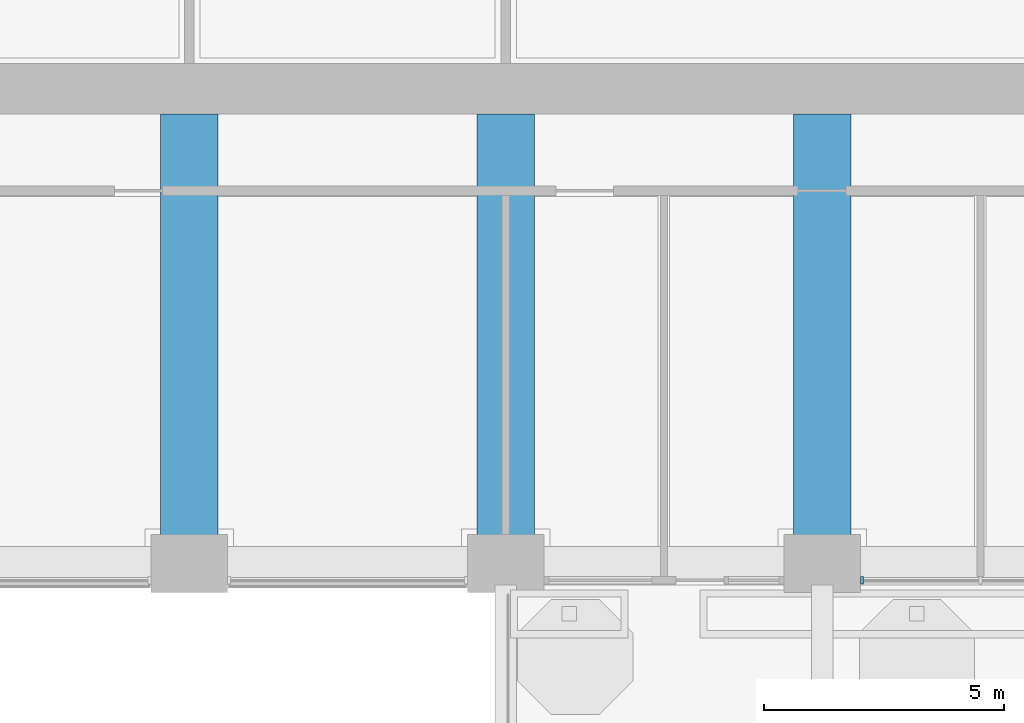
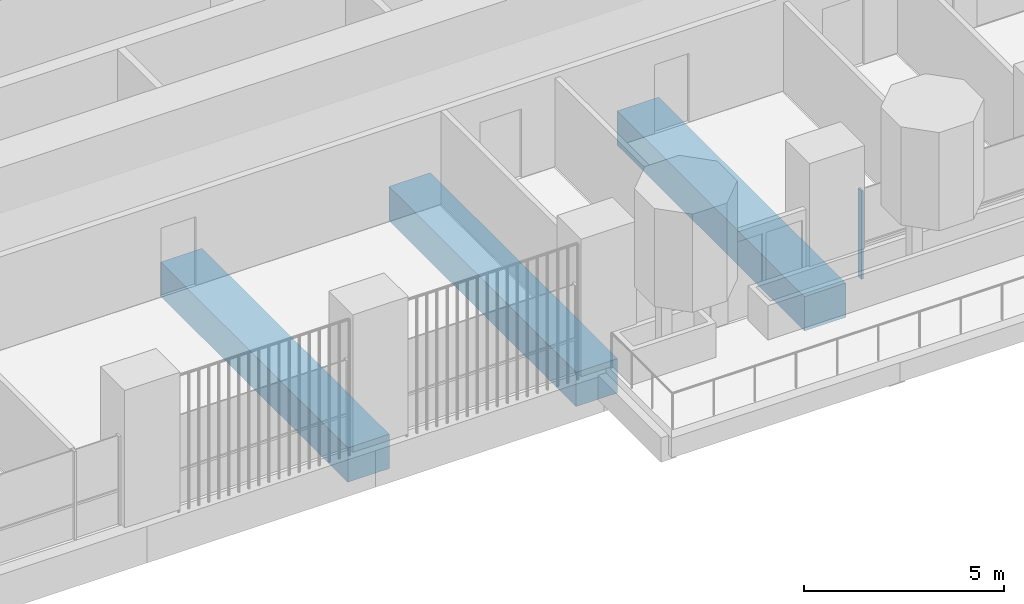
# One storey, part 3 of 19: 3 beams, 1 member, 1 element without a shape of its own.
"""IFC4 building model written with IfcOpenShell, lengths in metres."""

from ifc_helpers import new_model, si_unit, direction, frame, origin, origin_2d, place, context, subcontext, project, spatial, rectangle, extrude, material, material_profile, profile_set, type_object, element, aggregate, save


model = new_model("IFC4")

# Units and contexts
model_context = context("Model", 3, precision=1e-05, world=origin(), true_north=direction((0.0, 1.0)))
body_context = subcontext(model_context, "Body", "Model", "MODEL_VIEW")
ifc_project = project(units=[si_unit("LENGTHUNIT", "METRE"), si_unit("AREAUNIT", "SQUARE_METRE"), si_unit("VOLUMEUNIT", "CUBIC_METRE"), si_unit("PLANEANGLEUNIT", "RADIAN"), si_unit("MASSUNIT", "GRAM", prefix="KILO")], contexts=[model_context])

# Site, building, storey
site_placement = place(None, origin())
site = spatial("IfcSite", under=ifc_project, at=site_placement, CompositionType="ELEMENT")
building_placement = place(site_placement, origin())
building = spatial("IfcBuilding", under=site, at=building_placement, Name="Cobogo Forest Laboratory Tower", CompositionType="ELEMENT")
storey_placement = place(building_placement, frame((0.0, 0.0, 172.5)))
storey = spatial("IfcBuildingStorey", under=building, at=storey_placement, Name="L39", CompositionType="ELEMENT", Elevation=172.5)

# Beams
ifc_material_1 = material(Name="Concrete HA-40 (C40/50)", Category="concrete")
ifc_material_profile_1 = material_profile(ifc_material_1, rectangle(XDim=1.199951171875, YDim=1.050048828125, at=origin_2d()), Name="RC 1200x1050")
ifc_profile_set_1 = profile_set([ifc_material_profile_1], Name="Concrete HA-40 (C40/50)")
beam_type = type_object("IfcBeamType", Name="Laboratory floor wide beam 1200x1050", PredefinedType="BEAM", material=ifc_profile_set_1)
for number, where, z_axis, x_axis, name in (
    (1, (19.800048828125, 12.675048828125, -0.824951171875), (0.0, -1.0, 0.0), (1.0, 0.0, 0.0), "RB1 R-4-S L39"),
    (2, (26.39990234375, 12.675048828125, -0.824951171875), (0.0, -1.0, 0.0), (1.0, 0.0, 0.0), "RB1 R-5-S L39"),
    (3, (33.0, 12.675048828125, -0.824951171875), (0.0, -1.0, 0.0), (1.0, 0.0, 0.0), "RB1 R-6-S L39"),
):
    element("IfcBeam", number, at=place(storey_placement, frame(where, z_axis=z_axis, x_axis=x_axis)), inside=storey, type_object=beam_type, Name=name, PredefinedType="BEAM", context=body_context, shape_type="SweptSolid", body=[
        extrude(rectangle(XDim=1.199951171875, YDim=1.050048828125, at=origin_2d()), origin(), (0.0, 0.0, 1.0), 9.375),
    ])

# Curtain wall, member
ifc_material_2 = material(Name="Aluminium curtain wall", Category="aluminium")
curtain_wall_type = type_object("IfcCurtainWallType", Name="CW-2 unitised curtain wall, solar control glazing, laboratory floors zones C and D", PredefinedType="USERDEFINED", material=ifc_material_2)
curtain_wall_placement = place(storey_placement, origin())
curtain_wall = element("IfcCurtainWall", 4, at=curtain_wall_placement, inside=storey, type_object=curtain_wall_type, Name="Curtain wall 05 L39", ObjectType="UNITISED CURTAIN WALL", PredefinedType="USERDEFINED")
ifc_material_3 = material(Name="Aluminium mullion", Category="aluminium")
ifc_material_profile_2 = material_profile(ifc_material_3, rectangle(XDim=0.06005859375, YDim=0.159912109375, at=origin_2d()), Name="AL 60x160")
ifc_profile_set_2 = profile_set([ifc_material_profile_2], Name="Aluminium mullion")
member_type = type_object("IfcMemberType", Name="MU-1 aluminium mullion 60x160", PredefinedType="MULLION", material=ifc_profile_set_2)
member_placement = place(storey_placement, frame((33.830078125, 2.949951171875, 0.0), z_axis=(0.0, 0.0, 1.0), x_axis=(1.0, 0.0, 0.0)))
member = element("IfcMember", 5, at=member_placement, type_object=member_type, Name="CW-2 mullion 1", PredefinedType="MULLION", context=body_context, shape_type="SweptSolid", body=[
    extrude(rectangle(XDim=0.06005859375, YDim=0.159912109375, at=origin_2d()), origin(), (0.0, 0.0, 1.0), 2.699951171875),
])
aggregate(curtain_wall, [member])

save(model, "model.ifc")
